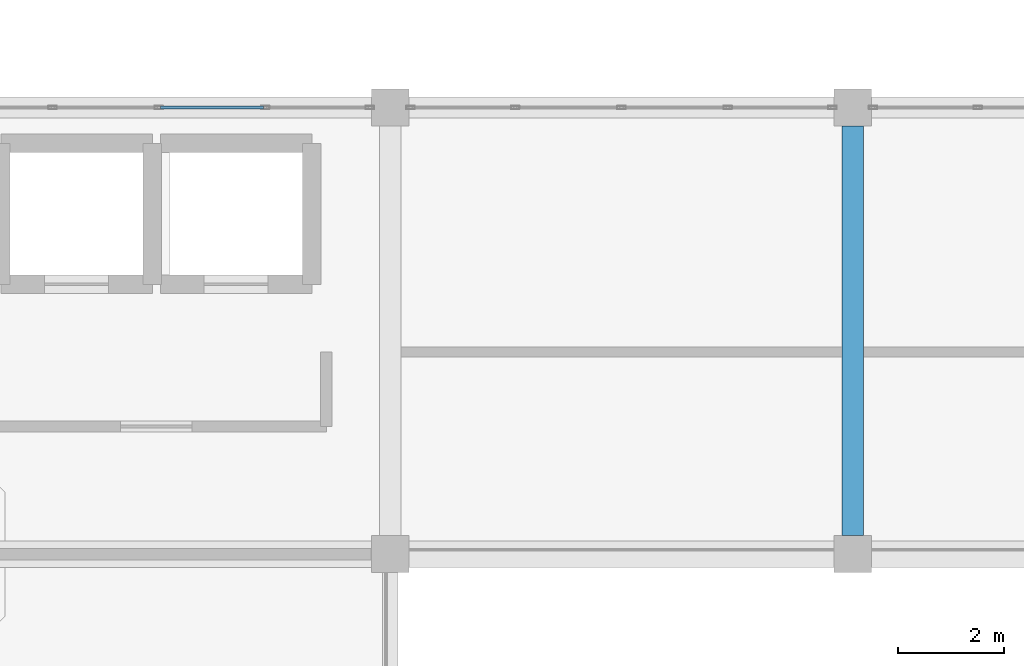
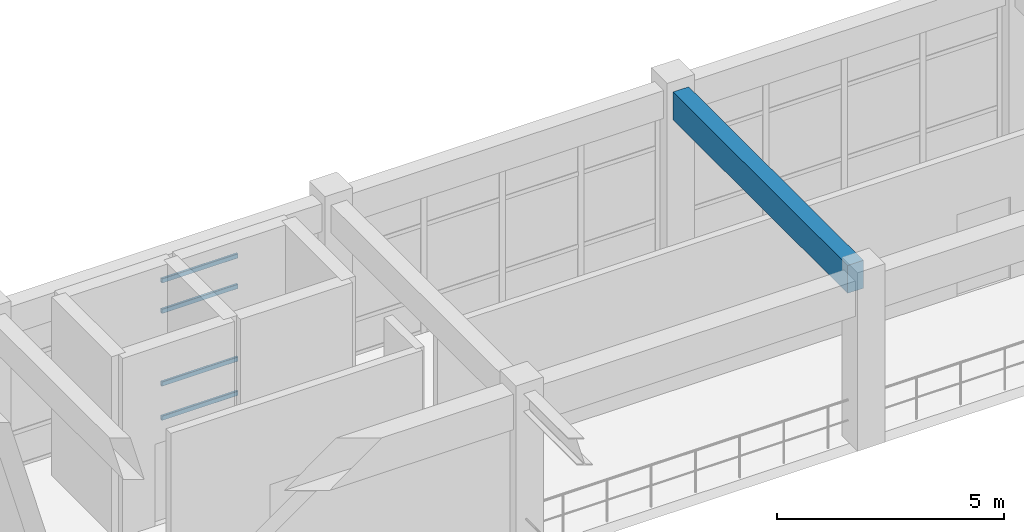
# One storey, part 23 of 64: 4 members, 1 beam, 1 element without a shape of its own.
"""IFC4 building model written with IfcOpenShell, lengths in metres."""

from ifc_helpers import new_model, si_unit, derived_unit, direction, frame, origin, origin_2d, place, context, subcontext, project, spatial, rectangle, hollow_rectangle, extrude, material, layer, layer_set, material_profile, profile_set, type_object, element, aggregate, save


model = new_model("IFC4")

# Units and contexts
model_context = context("Model", 3, precision=1e-05, world=origin(), true_north=direction((0.0, 1.0)))
body_context = subcontext(model_context, "Body", "Model", "MODEL_VIEW")
ifc_project = project(units=[si_unit("LENGTHUNIT", "METRE"), si_unit("AREAUNIT", "SQUARE_METRE"), si_unit("VOLUMEUNIT", "CUBIC_METRE"), si_unit("PLANEANGLEUNIT", "RADIAN"), si_unit("MASSUNIT", "GRAM", prefix="KILO"), derived_unit("THERMALTRANSMITTANCEUNIT", [(si_unit("MASSUNIT", "GRAM", prefix="KILO"), 1), (si_unit("TIMEUNIT", "SECOND"), -3), (si_unit("THERMODYNAMICTEMPERATUREUNIT", "KELVIN"), -1)])], contexts=[model_context])

# Site, building, storey
site_placement = place(None, origin())
site = spatial("IfcSite", under=ifc_project, at=site_placement, CompositionType="ELEMENT")
building_placement = place(site_placement, origin())
building = spatial("IfcBuilding", under=site, at=building_placement, Name="Qinzheling Arcade Emporium", CompositionType="ELEMENT")
storey_placement = place(building_placement, frame((0.0, 0.0, 31.5)))
storey = spatial("IfcBuildingStorey", under=building, at=storey_placement, Name="L07", CompositionType="ELEMENT", Elevation=31.5)

# Curtain wall, members
ifc_material_1 = material(Name="Anodised aluminium and solar-control double glazing", Category="aluminium")
ifc_layer = layer(ifc_material_1, 0.159912109375, Name="Anodised aluminium and solar-control double glazing", Category="aluminium")
ifc_layer_set = layer_set([ifc_layer], Name="Anodised aluminium and solar-control double glazing")
curtain_wall_type = type_object("IfcCurtainWallType", Name="Atrium Clerestory Curtain Wall", PredefinedType="NOTDEFINED", material=ifc_layer_set)
curtain_wall_placement = place(storey_placement, origin())
curtain_wall = element("IfcCurtainWall", 1, at=curtain_wall_placement, inside=storey, type_object=curtain_wall_type, Name="Curtain Wall CW-L07-417", PredefinedType="NOTDEFINED")
ifc_material_2 = material(Name="Anodised aluminium 6063-T6", Category="aluminium")
ifc_material_profile_1 = material_profile(ifc_material_2, hollow_rectangle(XDim=0.06005859375, YDim=0.1201171875, WallThickness=0.00390625, InnerFilletRadius=0.00390625, OuterFilletRadius=0.008056640625, at=origin_2d()), Name="RHS 120x60x4", Category="aluminium")
ifc_profile_set_1 = profile_set([ifc_material_profile_1], Name="Anodised aluminium 6063-T6")
member_type = type_object("IfcMemberType", Name="Curtain Wall Transom RHS120x60", PredefinedType="USERDEFINED", material=ifc_profile_set_1)
member_1_placement = place(storey_placement, frame((47.8798828125, 73.800048828125, 0.030029296875), z_axis=(1.0, 0.0, 0.0), x_axis=(0.0, 1.0, 0.0)))
member_1 = element("IfcMember", 2, at=member_1_placement, type_object=member_type, Name="CW03 transom 3.1", ObjectType="TRANSOM", PredefinedType="USERDEFINED", context=body_context, shape_type="SweptSolid", body=[
    extrude(hollow_rectangle(XDim=0.06005859375, YDim=0.1201171875, WallThickness=0.00390625, InnerFilletRadius=0.00390625, OuterFilletRadius=0.008056640625, at=origin_2d()), origin(), (0.0, 0.0, 1.0), 1.939208984375),
])
member_2_placement = place(storey_placement, frame((47.8798828125, 73.800048828125, 0.949951171875), z_axis=(1.0, 0.0, 0.0), x_axis=(0.0, 1.0, 0.0)))
member_2 = element("IfcMember", 3, at=member_2_placement, type_object=member_type, Name="CW03 transom 3.2", ObjectType="TRANSOM", PredefinedType="USERDEFINED", context=body_context, shape_type="SweptSolid", body=[
    extrude(hollow_rectangle(XDim=0.06005859375, YDim=0.1201171875, WallThickness=0.00390625, InnerFilletRadius=0.00390625, OuterFilletRadius=0.008056640625, at=origin_2d()), origin(), (0.0, 0.0, 1.0), 1.939208984375),
])
member_3_placement = place(storey_placement, frame((47.8798828125, 73.800048828125, 2.905029296875), z_axis=(1.0, 0.0, 0.0), x_axis=(0.0, 1.0, 0.0)))
member_3 = element("IfcMember", 4, at=member_3_placement, type_object=member_type, Name="CW03 transom 3.3", ObjectType="TRANSOM", PredefinedType="USERDEFINED", context=body_context, shape_type="SweptSolid", body=[
    extrude(hollow_rectangle(XDim=0.06005859375, YDim=0.1201171875, WallThickness=0.00390625, InnerFilletRadius=0.00390625, OuterFilletRadius=0.008056640625, at=origin_2d()), origin(), (0.0, 0.0, 1.0), 1.939208984375),
])
member_4_placement = place(storey_placement, frame((47.8798828125, 73.800048828125, 3.72509765625), z_axis=(1.0, 0.0, 0.0), x_axis=(0.0, 1.0, 0.0)))
member_4 = element("IfcMember", 5, at=member_4_placement, type_object=member_type, Name="CW03 transom 3.4", ObjectType="TRANSOM", PredefinedType="USERDEFINED", context=body_context, shape_type="SweptSolid", body=[
    extrude(hollow_rectangle(XDim=0.06005859375, YDim=0.1201171875, WallThickness=0.00390625, InnerFilletRadius=0.00390625, OuterFilletRadius=0.008056640625, at=origin_2d()), origin(), (0.0, 0.0, 1.0), 1.939208984375),
])
aggregate(curtain_wall, [member_1, member_2, member_3, member_4])

# Beam
ifc_material_3 = material(Name="Concrete C40", Category="concrete")
ifc_material_profile_2 = material_profile(ifc_material_3, rectangle(XDim=0.39990234375, YDim=0.75, at=origin_2d()), Name="RC 400x750", Category="concrete")
ifc_profile_set_2 = profile_set([ifc_material_profile_2], Name="Concrete C40")
beam_type = type_object("IfcBeamType", Name="RC Interior Tie Beam 400x750 C40", PredefinedType="BEAM", material=ifc_profile_set_2)
beam_placement = place(storey_placement, frame((60.89990234375, 65.75, 4.14501953125), z_axis=(0.0, 1.0, 0.0), x_axis=(-1.0, 0.0, 0.0)))
element("IfcBeam", 6, at=beam_placement, inside=storey, type_object=beam_type, Name="Beam BM-L07-Y-8-H", PredefinedType="BEAM", context=body_context, shape_type="SweptSolid", body=[
    extrude(rectangle(XDim=0.39990234375, YDim=0.75, at=origin_2d()), origin(), (0.0, 0.0, 1.0), 7.699951171875),
])

save(model, "model.ifc")
